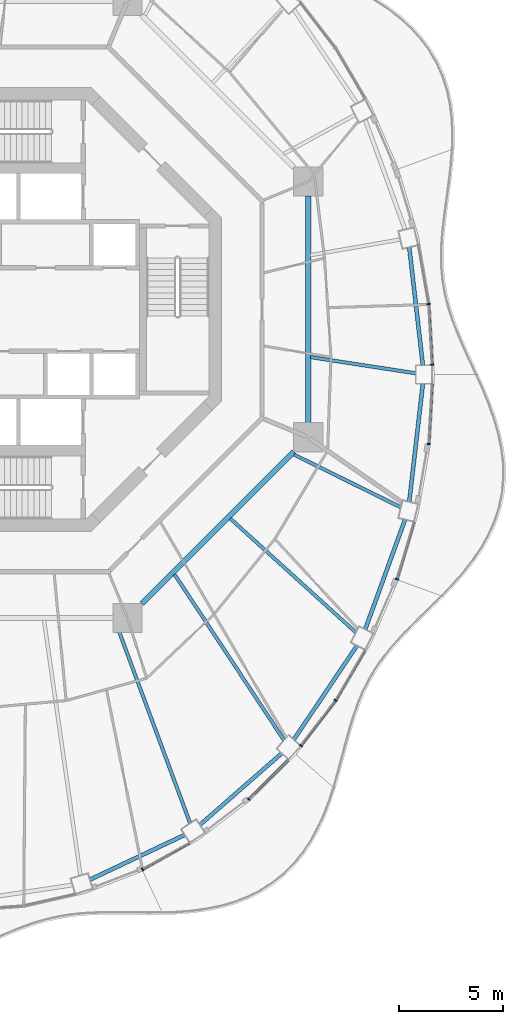
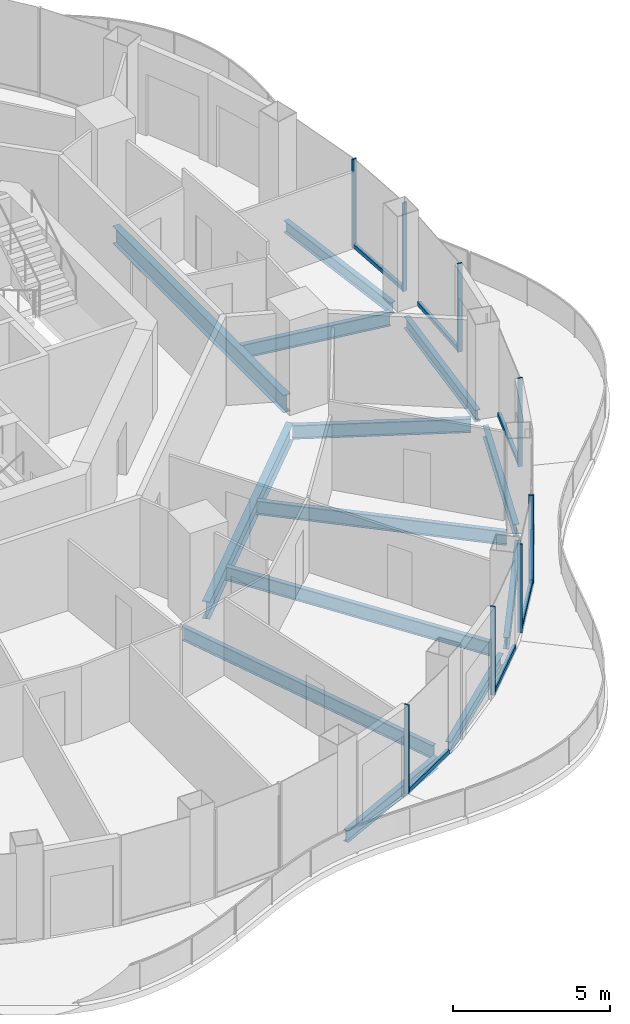
# One storey, part 4 of 17: 15 members, 13 beams, 8 elements without a shape of their own.
"""IFC4 building model written with IfcOpenShell, lengths in metres."""

from ifc_helpers import new_model, si_unit, direction, frame, origin, origin_2d, place, context, subcontext, project, spatial, rectangle, i_section, extrude, material, layer, layer_set, material_profile, profile_set, type_object, element, aggregate, save


model = new_model("IFC4")

# Units and contexts
model_context = context("Model", 3, precision=1e-05, world=origin(), true_north=direction((0.0, 1.0)))
body_context = subcontext(model_context, "Body", "Model", "MODEL_VIEW")
ifc_project = project(units=[si_unit("LENGTHUNIT", "METRE"), si_unit("AREAUNIT", "SQUARE_METRE"), si_unit("VOLUMEUNIT", "CUBIC_METRE"), si_unit("PLANEANGLEUNIT", "RADIAN"), si_unit("MASSUNIT", "GRAM", prefix="KILO")], contexts=[model_context])

# Site, building, storey
site_placement = place(None, origin())
site = spatial("IfcSite", under=ifc_project, at=site_placement, CompositionType="ELEMENT")
building_placement = place(site_placement, origin())
building = spatial("IfcBuilding", under=site, at=building_placement, Name="Nagisa Residences", CompositionType="ELEMENT")
storey_placement = place(building_placement, frame((0.0, 0.0, 291.800048828125)))
storey = spatial("IfcBuildingStorey", under=building, at=storey_placement, Name="L74", CompositionType="ELEMENT", Elevation=291.800048828125)

# Curtain wall, member
ifc_material_1 = material(Name="Concrete-coloured aluminium curtain wall system", Category="concrete")
ifc_layer = layer(ifc_material_1, 0.159912109375)
ifc_layer_set = layer_set([ifc_layer], Name="CW1 CURTAIN WALL")
curtain_wall_type = type_object("IfcCurtainWallType", Name="CW1 CURTAIN WALL", PredefinedType="NOTDEFINED", material=ifc_layer_set)
curtain_wall_1_placement = place(storey_placement, origin())
curtain_wall_1 = element("IfcCurtainWall", 1, at=curtain_wall_1_placement, inside=storey, type_object=curtain_wall_type, Name="cw:CW1:L74:00", PredefinedType="NOTDEFINED")
ifc_material_2 = material(Name="Concrete-coloured aluminium", Category="concrete")
ifc_material_profile_1 = material_profile(ifc_material_2, rectangle(XDim=0.159912109375, YDim=0.06005859375, at=origin_2d()), Name="CW1 MULLION 160x60")
ifc_profile_set_1 = profile_set([ifc_material_profile_1], Name="Concrete-coloured aluminium")
member_type_1 = type_object("IfcMemberType", Name="CW1 MULLION 160x60", PredefinedType="MULLION", material=ifc_profile_set_1)
member_1_placement = place(storey_placement, frame((20.712646484375, -2.64306640625, 0.0), z_axis=(0.0, 0.0, 1.0), x_axis=(-0.998345305184, -0.057503492216, 0.0)))
member_1 = element("IfcMember", 2, at=member_1_placement, type_object=member_type_1, Name="CW1 mullion", PredefinedType="MULLION", context=body_context, shape_type="SweptSolid", body=[
    extrude(rectangle(XDim=0.159912109375, YDim=0.06005859375, at=origin_2d()), origin(), (0.0, 0.0, 1.0), 3.43994140625),
])

curtain_wall_2_placement = place(storey_placement, origin())
curtain_wall_2 = element("IfcCurtainWall", 3, at=curtain_wall_2_placement, inside=storey, type_object=curtain_wall_type, Name="cw:CW1:L74:01", PredefinedType="NOTDEFINED")
member_2_placement = place(storey_placement, frame((20.54248046875, 0.2578125, 0.0), z_axis=(0.0, 0.0, 1.0), x_axis=(-0.985063604377, -0.172190868898, 0.0)))
member_2 = element("IfcMember", 4, at=member_2_placement, type_object=member_type_1, Name="CW1 mullion", PredefinedType="MULLION", context=body_context, shape_type="SweptSolid", body=[
    extrude(rectangle(XDim=0.159912109375, YDim=0.06005859375, at=origin_2d()), origin(), (0.0, 0.0, 1.0), 3.43994140625),
])
aggregate(curtain_wall_2, [member_2])

curtain_wall_3_placement = place(storey_placement, origin())
curtain_wall_3 = element("IfcCurtainWall", 5, at=curtain_wall_3_placement, inside=storey, type_object=curtain_wall_type, Name="cw:CW1:L74:39", PredefinedType="NOTDEFINED")
member_3_placement = place(storey_placement, frame((6.84326171875, -26.81396484375, 0.0), z_axis=(0.0, 0.0, 1.0), x_axis=(-0.489376918501, 0.872072377523, 0.0)))
member_3 = element("IfcMember", 6, at=member_3_placement, type_object=member_type_1, Name="CW1 mullion", PredefinedType="MULLION", context=body_context, shape_type="SweptSolid", body=[
    extrude(rectangle(XDim=0.159912109375, YDim=0.06005859375, at=origin_2d()), origin(), (0.0, 0.0, 1.0), 3.43994140625),
])

curtain_wall_4_placement = place(storey_placement, origin())
curtain_wall_4 = element("IfcCurtainWall", 7, at=curtain_wall_4_placement, inside=storey, type_object=curtain_wall_type, Name="cw:CW1:L74:41", PredefinedType="NOTDEFINED")
member_4_placement = place(storey_placement, frame((11.934814453125, -23.460693359375, 0.0), z_axis=(0.0, 0.0, 1.0), x_axis=(-0.706376885714, 0.707835924016, 0.0)))
member_4 = element("IfcMember", 8, at=member_4_placement, type_object=member_type_1, Name="CW1 mullion", PredefinedType="MULLION", context=body_context, shape_type="SweptSolid", body=[
    extrude(rectangle(XDim=0.159912109375, YDim=0.06005859375, at=origin_2d()), origin(), (0.0, 0.0, 1.0), 3.43994140625),
])

curtain_wall_5_placement = place(storey_placement, origin())
curtain_wall_5 = element("IfcCurtainWall", 9, at=curtain_wall_5_placement, inside=storey, type_object=curtain_wall_type, Name="cw:CW1:L74:42", PredefinedType="NOTDEFINED")
member_5_placement = place(storey_placement, frame((14.42431640625, -20.8896484375, 0.0), z_axis=(0.0, 0.0, 1.0), x_axis=(-0.792070340816, 0.610429828235, 0.0)))
member_5 = element("IfcMember", 10, at=member_5_placement, type_object=member_type_1, Name="CW1 mullion", PredefinedType="MULLION", context=body_context, shape_type="SweptSolid", body=[
    extrude(rectangle(XDim=0.159912109375, YDim=0.06005859375, at=origin_2d()), origin(), (0.0, 0.0, 1.0), 3.43994140625),
])

curtain_wall_6_placement = place(storey_placement, origin())
curtain_wall_6 = element("IfcCurtainWall", 11, at=curtain_wall_6_placement, inside=storey, type_object=curtain_wall_type, Name="cw:CW1:L74:43", PredefinedType="NOTDEFINED")
member_6_placement = place(storey_placement, frame((16.091796875, -18.720947265625, 0.0), z_axis=(0.0, 0.0, 1.0), x_axis=(-0.862328898214, 0.506348567002, 0.0)))
member_6 = element("IfcMember", 12, at=member_6_placement, type_object=member_type_1, Name="CW1 mullion", PredefinedType="MULLION", context=body_context, shape_type="SweptSolid", body=[
    extrude(rectangle(XDim=0.159912109375, YDim=0.06005859375, at=origin_2d()), origin(), (0.0, 0.0, 1.0), 3.43994140625),
])

curtain_wall_7_placement = place(storey_placement, origin())
curtain_wall_7 = element("IfcCurtainWall", 13, at=curtain_wall_7_placement, inside=storey, type_object=curtain_wall_type, Name="cw:CW1:L74:45", PredefinedType="NOTDEFINED")
member_7_placement = place(storey_placement, frame((19.030029296875, -12.916259765625, 0.0), z_axis=(0.0, 0.0, 1.0), x_axis=(-0.958271310082, 0.285860274038, 0.0)))
member_7 = element("IfcMember", 14, at=member_7_placement, type_object=member_type_1, Name="CW1 mullion", PredefinedType="MULLION", context=body_context, shape_type="SweptSolid", body=[
    extrude(rectangle(XDim=0.159912109375, YDim=0.06005859375, at=origin_2d()), origin(), (0.0, 0.0, 1.0), 3.43994140625),
])

curtain_wall_8_placement = place(storey_placement, origin())
curtain_wall_8 = element("IfcCurtainWall", 15, at=curtain_wall_8_placement, inside=storey, type_object=curtain_wall_type, Name="cw:CW1:L74:47", PredefinedType="NOTDEFINED")
member_8_placement = place(storey_placement, frame((20.54833984375, -6.44287109375, 0.0), z_axis=(0.0, 0.0, 1.0), x_axis=(-0.998345305184, 0.057503492216, 0.0)))
member_8 = element("IfcMember", 16, at=member_8_placement, type_object=member_type_1, Name="CW1 mullion", PredefinedType="MULLION", context=body_context, shape_type="SweptSolid", body=[
    extrude(rectangle(XDim=0.159912109375, YDim=0.06005859375, at=origin_2d()), origin(), (0.0, 0.0, 1.0), 3.43994140625),
])

# Member
ifc_material_3 = material(Name="Concrete-coloured aluminium", Category="concrete")
ifc_material_profile_2 = material_profile(ifc_material_3, rectangle(XDim=0.1201171875, YDim=0.14990234375, at=origin_2d()), Name="CW1 TRANSOM 120x150")
ifc_profile_set_2 = profile_set([ifc_material_profile_2], Name="Concrete-coloured aluminium")
member_type_2 = type_object("IfcMemberType", Name="CW1 TRANSOM 120x150", PredefinedType="USERDEFINED", material=ifc_profile_set_2)
member_9_placement = place(storey_placement, frame((20.71435546875, -2.673095703125, 0.074951171875), z_axis=(-0.057529123486, 0.998343828524, 0.0), x_axis=(-0.998343828524, -0.057529123486, 0.0)))
member_9 = element("IfcMember", 17, at=member_9_placement, type_object=member_type_2, Name="CW1 transom", ObjectType="TRANSOM", PredefinedType="USERDEFINED", context=body_context, shape_type="SweptSolid", body=[
    extrude(rectangle(XDim=0.1201171875, YDim=0.14990234375, at=origin_2d()), origin(), (0.0, 0.0, 1.0), 2.91552734375),
])

aggregate(curtain_wall_1, [member_1, member_9])

member_10_placement = place(storey_placement, frame((6.817138671875, -26.82861328125, 0.074951171875), z_axis=(0.872052877201, 0.489411666561, 0.0), x_axis=(-0.489411666561, 0.872052877201, 0.0)))
member_10 = element("IfcMember", 18, at=member_10_placement, type_object=member_type_2, Name="CW1 transom", ObjectType="TRANSOM", PredefinedType="USERDEFINED", context=body_context, shape_type="SweptSolid", body=[
    extrude(rectangle(XDim=0.1201171875, YDim=0.14990234375, at=origin_2d()), origin(), (0.0, 0.0, 1.0), 2.593017578125),
])

aggregate(curtain_wall_3, [member_3, member_10])

member_11_placement = place(storey_placement, frame((11.91357421875, -23.48193359375, 0.074951171875), z_axis=(0.707876975297, 0.706335747251, 0.0), x_axis=(-0.706335747251, 0.707876975297, 0.0)))
member_11 = element("IfcMember", 19, at=member_11_placement, type_object=member_type_2, Name="CW1 transom", ObjectType="TRANSOM", PredefinedType="USERDEFINED", context=body_context, shape_type="SweptSolid", body=[
    extrude(rectangle(XDim=0.1201171875, YDim=0.14990234375, at=origin_2d()), origin(), (0.0, 0.0, 1.0), 2.69287109375),
])

aggregate(curtain_wall_4, [member_4, member_11])

member_12_placement = place(storey_placement, frame((14.406005859375, -20.913330078125, 0.074951171875), z_axis=(0.610432336622, 0.792068407656, 0.0), x_axis=(-0.792068407656, 0.610432336622, 0.0)))
member_12 = element("IfcMember", 20, at=member_12_placement, type_object=member_type_2, Name="CW1 transom", ObjectType="TRANSOM", PredefinedType="USERDEFINED", context=body_context, shape_type="SweptSolid", body=[
    extrude(rectangle(XDim=0.1201171875, YDim=0.14990234375, at=origin_2d()), origin(), (0.0, 0.0, 1.0), 2.74609375),
])

aggregate(curtain_wall_5, [member_5, member_12])

member_13_placement = place(storey_placement, frame((16.07666015625, -18.74658203125, 0.074951171875), z_axis=(0.506371364425, 0.862315511452, 0.0), x_axis=(-0.862315511452, 0.506371364425, 0.0)))
member_13 = element("IfcMember", 21, at=member_13_placement, type_object=member_type_2, Name="CW1 transom", ObjectType="TRANSOM", PredefinedType="USERDEFINED", context=body_context, shape_type="SweptSolid", body=[
    extrude(rectangle(XDim=0.1201171875, YDim=0.14990234375, at=origin_2d()), origin(), (0.0, 0.0, 1.0), 2.79638671875),
])

aggregate(curtain_wall_6, [member_6, member_13])

member_14_placement = place(storey_placement, frame((19.021484375, -12.945068359375, 0.074951171875), z_axis=(0.285876209024, 0.9582665564, 0.0), x_axis=(-0.9582665564, 0.285876209024, 0.0)))
member_14 = element("IfcMember", 22, at=member_14_placement, type_object=member_type_2, Name="CW1 transom", ObjectType="TRANSOM", PredefinedType="USERDEFINED", context=body_context, shape_type="SweptSolid", body=[
    extrude(rectangle(XDim=0.1201171875, YDim=0.14990234375, at=origin_2d()), origin(), (0.0, 0.0, 1.0), 2.877197265625),
])

aggregate(curtain_wall_7, [member_7, member_14])

member_15_placement = place(storey_placement, frame((20.546630859375, -6.472900390625, 0.074951171875), z_axis=(0.057529123486, 0.998343828524, 0.0), x_axis=(-0.998343828524, 0.057529123486, 0.0)))
member_15 = element("IfcMember", 23, at=member_15_placement, type_object=member_type_2, Name="CW1 transom", ObjectType="TRANSOM", PredefinedType="USERDEFINED", context=body_context, shape_type="SweptSolid", body=[
    extrude(rectangle(XDim=0.1201171875, YDim=0.14990234375, at=origin_2d()), origin(), (0.0, 0.0, 1.0), 2.91552734375),
])

aggregate(curtain_wall_8, [member_8, member_15])

# Beams
ifc_material_4 = material(Name="Steel ASTM A572 Gr 50", Category="steel")
ifc_material_profile_3 = material_profile(ifc_material_4, i_section(OverallWidth=0.2529296875, OverallDepth=0.677978515625, WebThickness=0.01171875, FlangeThickness=0.016357421875, at=origin_2d()), Name="W690x125")
ifc_profile_set_3 = profile_set([ifc_material_profile_3], Name="Steel ASTM A572 Gr 50")
beam_type_1 = type_object("IfcBeamType", Name="Inner ring beam W690x125", PredefinedType="BEAM", material=ifc_profile_set_3)
beam_1_placement = place(storey_placement, frame((6.808837890625, -14.09619140625, -0.59912109375), z_axis=(0.707106781187, 0.707106781187, 0.0), x_axis=(-0.707106781187, 0.707106781187, 0.0)))
element("IfcBeam", 24, at=beam_1_placement, inside=storey, type_object=beam_type_1, Name="beam:L74:ib7", PredefinedType="BEAM", context=body_context, shape_type="SweptSolid", body=[
    extrude(i_section(OverallWidth=0.2529296875, OverallDepth=0.677978515625, WebThickness=0.01171875, FlangeThickness=0.016357421875, at=origin_2d()), origin(), (0.0, 0.0, 1.0), 10.305908203125),
])
beam_2_placement = place(storey_placement, frame((14.781982421875, -5.44287109375, -0.59912109375), z_axis=(0.0, 1.0, 0.0), x_axis=(-1.0, 0.0, 0.0)))
element("IfcBeam", 25, at=beam_2_placement, inside=storey, type_object=beam_type_1, Name="beam:L74:ib8", PredefinedType="BEAM", context=body_context, shape_type="SweptSolid", body=[
    extrude(i_section(OverallWidth=0.2529296875, OverallDepth=0.677978515625, WebThickness=0.01171875, FlangeThickness=0.016357421875, at=origin_2d()), origin(), (0.0, 0.0, 1.0), 10.8857421875),
])
ifc_material_5 = material(Name="Steel ASTM A572 Gr 50", Category="steel")
ifc_material_profile_4 = material_profile(ifc_material_5, i_section(OverallWidth=0.18994140625, OverallDepth=0.45703125, WebThickness=0.009033203125, FlangeThickness=0.014404296875, at=origin_2d()), Name="W460x74")
ifc_profile_set_4 = profile_set([ifc_material_profile_4], Name="Steel ASTM A572 Gr 50")
beam_type_2 = type_object("IfcBeamType", Name="Perimeter ring beam W460x74", PredefinedType="BEAM", material=ifc_profile_set_4)
beam_3_placement = place(storey_placement, frame((20.270263671875, -2.6875, -0.488525390625), z_axis=(-0.114593271741, 0.993412493414, 0.0), x_axis=(-0.993412493414, -0.114593271741, 0.0)))
element("IfcBeam", 26, at=beam_3_placement, inside=storey, type_object=beam_type_2, Name="beam:L74:pb01", PredefinedType="BEAM", context=body_context, shape_type="SweptSolid", body=[
    extrude(i_section(OverallWidth=0.18994140625, OverallDepth=0.45703125, WebThickness=0.009033203125, FlangeThickness=0.014404296875, at=origin_2d()), origin(), (0.0, 0.0, 1.0), 5.709716796875),
])
beam_4_placement = place(storey_placement, frame((4.318115234375, -27.311767578125, -0.488525390625), z_axis=(0.904115893837, 0.427287316113, 0.0), x_axis=(-0.427287316113, 0.904115893837, 0.0)))
element("IfcBeam", 27, at=beam_4_placement, inside=storey, type_object=beam_type_2, Name="beam:L74:pb20", PredefinedType="BEAM", context=body_context, shape_type="SweptSolid", body=[
    extrude(i_section(OverallWidth=0.18994140625, OverallDepth=0.45703125, WebThickness=0.009033203125, FlangeThickness=0.014404296875, at=origin_2d()), origin(), (0.0, 0.0, 1.0), 5.031494140625),
])
beam_5_placement = place(storey_placement, frame((9.586669921875, -24.690185546875, -0.488525390625), z_axis=(0.752385480596, 0.658723074279, 0.0), x_axis=(-0.658723074279, 0.752385480596, 0.0)))
element("IfcBeam", 28, at=beam_5_placement, inside=storey, type_object=beam_type_2, Name="beam:L74:pb21", PredefinedType="BEAM", context=body_context, shape_type="SweptSolid", body=[
    extrude(i_section(OverallWidth=0.18994140625, OverallDepth=0.45703125, WebThickness=0.009033203125, FlangeThickness=0.014404296875, at=origin_2d()), origin(), (0.0, 0.0, 1.0), 5.220947265625),
])
beam_6_placement = place(storey_placement, frame((14.083251953125, -20.605224609375, -0.488525390625), z_axis=(0.558045612854, 0.829810275891, 0.0), x_axis=(-0.829810275891, 0.558045612854, 0.0)))
element("IfcBeam", 29, at=beam_6_placement, inside=storey, type_object=beam_type_2, Name="beam:L74:pb22", PredefinedType="BEAM", context=body_context, shape_type="SweptSolid", body=[
    extrude(i_section(OverallWidth=0.18994140625, OverallDepth=0.45703125, WebThickness=0.009033203125, FlangeThickness=0.014404296875, at=origin_2d()), origin(), (0.0, 0.0, 1.0), 5.432373046875),
])
beam_7_placement = place(storey_placement, frame((17.50439453125, -15.330322265625, -0.488525390625), z_axis=(0.341211850477, 0.93998642176, 0.0), x_axis=(-0.93998642176, 0.341211850477, 0.0)))
element("IfcBeam", 30, at=beam_7_placement, inside=storey, type_object=beam_type_2, Name="beam:L74:pb23", PredefinedType="BEAM", context=body_context, shape_type="SweptSolid", body=[
    extrude(i_section(OverallWidth=0.18994140625, OverallDepth=0.45703125, WebThickness=0.009033203125, FlangeThickness=0.014404296875, at=origin_2d()), origin(), (0.0, 0.0, 1.0), 5.609619140625),
])
beam_8_placement = place(storey_placement, frame((19.615966796875, -9.219970703125, -0.488525390625), z_axis=(0.114593271741, 0.993412493414, 0.0), x_axis=(-0.993412493414, 0.114593271741, 0.0)))
element("IfcBeam", 31, at=beam_8_placement, inside=storey, type_object=beam_type_2, Name="beam:L74:pb24", PredefinedType="BEAM", context=body_context, shape_type="SweptSolid", body=[
    extrude(i_section(OverallWidth=0.18994140625, OverallDepth=0.45703125, WebThickness=0.009033203125, FlangeThickness=0.014404296875, at=origin_2d()), origin(), (0.0, 0.0, 1.0), 5.709716796875),
])
ifc_material_6 = material(Name="Steel ASTM A572 Gr 50", Category="steel")
ifc_material_profile_5 = material_profile(ifc_material_6, i_section(OverallWidth=0.166015625, OverallDepth=0.534912109375, WebThickness=0.01025390625, FlangeThickness=0.0166015625, at=origin_2d()), Name="W530x85")
ifc_profile_set_5 = profile_set([ifc_material_profile_5], Name="Steel ASTM A572 Gr 50")
beam_type_3 = type_object("IfcBeamType", Name="Radial beam W530x85", PredefinedType="BEAM", material=ifc_profile_set_5)
beam_9_placement = place(storey_placement, frame((19.939697265625, -3.059326171875, -0.527587890625), z_axis=(-0.988434580655, 0.151647880849, 0.0), x_axis=(-0.151647880849, -0.988434580655, 0.0)))
element("IfcBeam", 32, at=beam_9_placement, inside=storey, type_object=beam_type_3, Name="beam:L74:rb01", PredefinedType="BEAM", context=body_context, shape_type="SweptSolid", body=[
    extrude(i_section(OverallWidth=0.166015625, OverallDepth=0.534912109375, WebThickness=0.01025390625, FlangeThickness=0.0166015625, at=origin_2d()), origin(), (0.0, 0.0, 1.0), 5.10986328125),
])
beam_10_placement = place(storey_placement, frame((9.124267578125, -24.610107421875, -0.527587890625), z_axis=(-0.347626513472, 0.93763308769, 0.0), x_axis=(-0.93763308769, -0.347626513472, 0.0)))
element("IfcBeam", 33, at=beam_10_placement, inside=storey, type_object=beam_type_3, Name="beam:L74:rb21", PredefinedType="BEAM", context=body_context, shape_type="SweptSolid", body=[
    extrude(i_section(OverallWidth=0.166015625, OverallDepth=0.534912109375, WebThickness=0.01025390625, FlangeThickness=0.0166015625, at=origin_2d()), origin(), (0.0, 0.0, 1.0), 10.36669921875),
])
beam_11_placement = place(storey_placement, frame((13.623779296875, -20.6357421875, -0.527587890625), z_axis=(-0.550958197916, 0.834532841864, 0.0), x_axis=(-0.834532841864, -0.550958197916, 0.0)))
element("IfcBeam", 34, at=beam_11_placement, inside=storey, type_object=beam_type_3, Name="beam:L74:rb22", PredefinedType="BEAM", context=body_context, shape_type="SweptSolid", body=[
    extrude(i_section(OverallWidth=0.166015625, OverallDepth=0.534912109375, WebThickness=0.01025390625, FlangeThickness=0.0166015625, at=origin_2d()), origin(), (0.0, 0.0, 1.0), 9.52978515625),
])
beam_12_placement = place(storey_placement, frame((17.064208984375, -15.47265625, -0.527587890625), z_axis=(-0.740818788558, 0.671704937096, 0.0), x_axis=(-0.671704937096, -0.740818788558, 0.0)))
element("IfcBeam", 35, at=beam_12_placement, inside=storey, type_object=beam_type_3, Name="beam:L74:rb23", PredefinedType="BEAM", context=body_context, shape_type="SweptSolid", body=[
    extrude(i_section(OverallWidth=0.166015625, OverallDepth=0.534912109375, WebThickness=0.01025390625, FlangeThickness=0.0166015625, at=origin_2d()), origin(), (0.0, 0.0, 1.0), 8.128173828125),
])
beam_13_placement = place(storey_placement, frame((19.216064453125, -9.4775390625, -0.527587890625), z_axis=(-0.896862727732, 0.442308995618, 0.0), x_axis=(-0.442308995618, -0.896862727732, 0.0)))
element("IfcBeam", 36, at=beam_13_placement, inside=storey, type_object=beam_type_3, Name="beam:L74:rb24", PredefinedType="BEAM", context=body_context, shape_type="SweptSolid", body=[
    extrude(i_section(OverallWidth=0.166015625, OverallDepth=0.534912109375, WebThickness=0.01025390625, FlangeThickness=0.0166015625, at=origin_2d()), origin(), (0.0, 0.0, 1.0), 5.702392578125),
])

save(model, "model.ifc")
